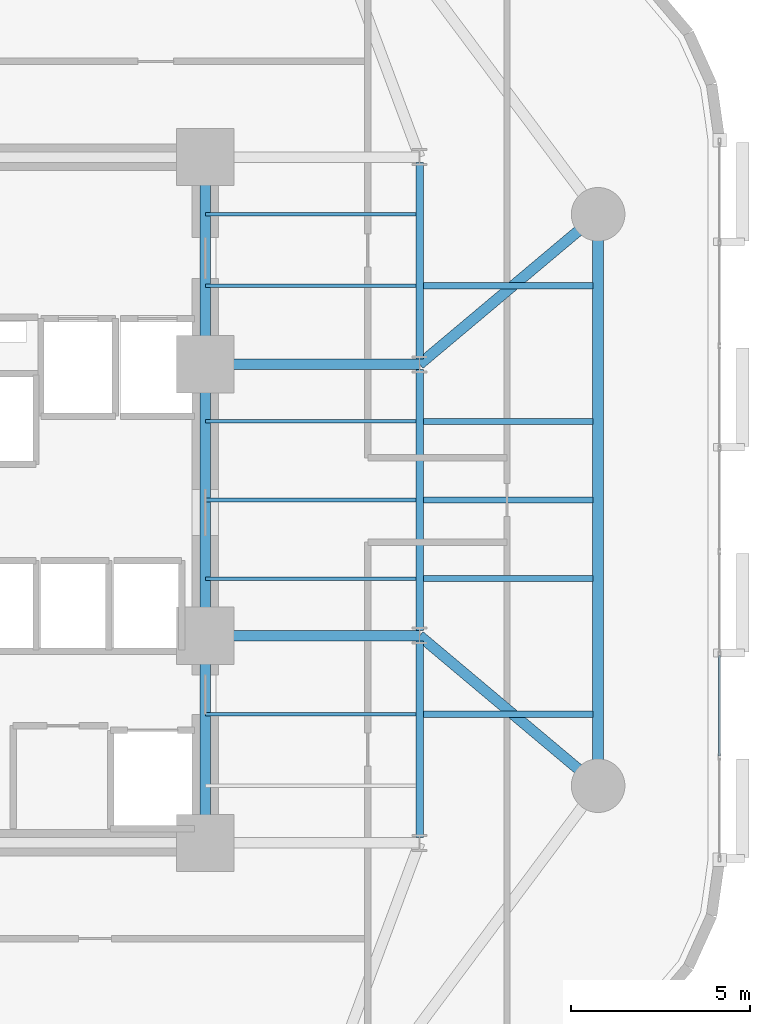
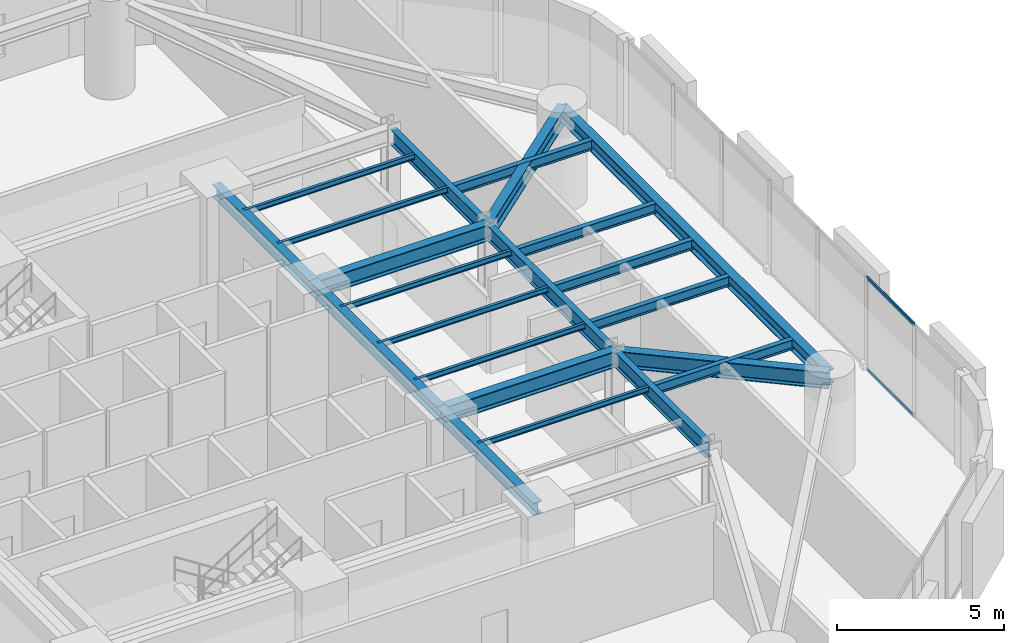
# One storey, part 5 of 15: 22 beams, 2 members, 1 element without a shape of its own.
"""IFC4 building model written with IfcOpenShell, lengths in metres."""

from ifc_helpers import new_model, si_unit, direction, frame, origin, origin_2d, place, context, subcontext, project, spatial, hollow_rectangle, i_section, extrude, material, layer, layer_set, material_profile, profile_set, type_object, element, aggregate, save


model = new_model("IFC4")

# Units and contexts
model_context = context("Model", 3, precision=1e-05, world=origin(), true_north=direction((0.0, 1.0)))
body_context = subcontext(model_context, "Body", "Model", "MODEL_VIEW")
ifc_project = project(units=[si_unit("LENGTHUNIT", "METRE"), si_unit("AREAUNIT", "SQUARE_METRE"), si_unit("VOLUMEUNIT", "CUBIC_METRE"), si_unit("PLANEANGLEUNIT", "RADIAN"), si_unit("MASSUNIT", "GRAM", prefix="KILO")], contexts=[model_context])

# Site, building, storey
site_placement = place(None, origin())
site = spatial("IfcSite", under=ifc_project, at=site_placement, CompositionType="ELEMENT")
building_placement = place(site_placement, origin())
building = spatial("IfcBuilding", under=site, at=building_placement, Name="An Khanh Terracotta Commons", CompositionType="ELEMENT")
storey_placement = place(building_placement, frame((0.0, 0.0, 64.800048828125)))
storey = spatial("IfcBuildingStorey", under=building, at=storey_placement, Name="L17", CompositionType="ELEMENT", Elevation=64.800048828125)

# Beams
ifc_material_1 = material(Name="Steel S355J2", Category="steel")
ifc_material_profile_1 = material_profile(ifc_material_1, i_section(OverallWidth=0.300048828125, OverallDepth=0.449951171875, WebThickness=0.013916015625, FlangeThickness=0.02587890625, FilletRadius=0.027099609375, at=origin_2d()), Name="HEB450")
ifc_profile_set_1 = profile_set([ifc_material_profile_1], Name="Steel S355J2")
beam_type_1 = type_object("IfcBeamType", Name="BM-HEB450", PredefinedType="BEAM", material=ifc_profile_set_1)
beam_1_placement = place(storey_placement, frame((37.199951171875, 14.39990234375, 3.175048828125), z_axis=(0.0, 1.0, 0.0), x_axis=(-1.0, 0.0, 0.0)))
element("IfcBeam", 1, at=beam_1_placement, inside=storey, type_object=beam_type_1, Name="L17 Core East Coupling Girder 1", PredefinedType="BEAM", context=body_context, shape_type="SweptSolid", body=[
    extrude(i_section(OverallWidth=0.300048828125, OverallDepth=0.449951171875, WebThickness=0.013916015625, FlangeThickness=0.02587890625, FilletRadius=0.027099609375, at=origin_2d()), origin(), (0.0, 0.0, 1.0), 5.800048828125),
])
beam_2_placement = place(storey_placement, frame((37.199951171875, 20.199951171875, 3.175048828125), z_axis=(0.0, 1.0, 0.0), x_axis=(-1.0, 0.0, 0.0)))
element("IfcBeam", 2, at=beam_2_placement, inside=storey, type_object=beam_type_1, Name="L17 Core East Coupling Girder 2", PredefinedType="BEAM", context=body_context, shape_type="SweptSolid", body=[
    extrude(i_section(OverallWidth=0.300048828125, OverallDepth=0.449951171875, WebThickness=0.013916015625, FlangeThickness=0.02587890625, FilletRadius=0.027099609375, at=origin_2d()), origin(), (0.0, 0.0, 1.0), 7.60009765625),
])
beam_3_placement = place(storey_placement, frame((37.199951171875, 27.800048828125, 3.175048828125), z_axis=(0.0, 1.0, 0.0), x_axis=(-1.0, 0.0, 0.0)))
element("IfcBeam", 3, at=beam_3_placement, inside=storey, type_object=beam_type_1, Name="L17 Core East Coupling Girder 3", PredefinedType="BEAM", context=body_context, shape_type="SweptSolid", body=[
    extrude(i_section(OverallWidth=0.300048828125, OverallDepth=0.449951171875, WebThickness=0.013916015625, FlangeThickness=0.02587890625, FilletRadius=0.027099609375, at=origin_2d()), origin(), (0.0, 0.0, 1.0), 5.800048828125),
])
ifc_material_profile_2 = material_profile(ifc_material_1, i_section(OverallWidth=0.300048828125, OverallDepth=0.5, WebThickness=0.014404296875, FlangeThickness=0.028076171875, FilletRadius=0.027099609375, at=origin_2d()), Name="HEB500")
ifc_profile_set_2 = profile_set([ifc_material_profile_2], Name="Steel S355J2")
beam_type_2 = type_object("IfcBeamType", Name="BM-HEB500", PredefinedType="BEAM", material=ifc_profile_set_2)
beam_4_placement = place(storey_placement, frame((48.199951171875, 16.0, 3.14990234375), z_axis=(0.0, 1.0, 0.0), x_axis=(-1.0, 0.0, 0.0)))
element("IfcBeam", 4, at=beam_4_placement, inside=storey, type_object=beam_type_2, Name="L17 Perimeter Ring Spandrel 3", PredefinedType="BEAM", context=body_context, shape_type="SweptSolid", body=[
    extrude(i_section(OverallWidth=0.300048828125, OverallDepth=0.5, WebThickness=0.014404296875, FlangeThickness=0.028076171875, FilletRadius=0.027099609375, at=origin_2d()), origin(), (0.0, 0.0, 1.0), 16.0),
])
ifc_material_profile_3 = material_profile(ifc_material_1, i_section(OverallWidth=0.300048828125, OverallDepth=0.60009765625, WebThickness=0.015380859375, FlangeThickness=0.030029296875, FilletRadius=0.027099609375, at=origin_2d()), Name="HEB600")
ifc_profile_set_3 = profile_set([ifc_material_profile_3], Name="Steel S355J2")
beam_type_3 = type_object("IfcBeamType", Name="BM-HEB600", PredefinedType="BEAM", material=ifc_profile_set_3)
for number, where, z_axis, x_axis, name in (
    (5, (37.199951171875, 20.199951171875, 3.099853515625), (1.0, 0.0, 0.0), (0.0, 1.0, 0.0), "L17 East Primary Floor Girder 2"),
    (6, (37.199951171875, 27.800048828125, 3.099853515625), (1.0, 0.0, 0.0), (0.0, 1.0, 0.0), "L17 East Primary Floor Girder 3"),
):
    element("IfcBeam", number, at=place(storey_placement, frame(where, z_axis=z_axis, x_axis=x_axis)), inside=storey, type_object=beam_type_3, Name=name, PredefinedType="BEAM", context=body_context, shape_type="SweptSolid", body=[
        extrude(i_section(OverallWidth=0.300048828125, OverallDepth=0.60009765625, WebThickness=0.015380859375, FlangeThickness=0.030029296875, FilletRadius=0.027099609375, at=origin_2d()), origin(), (0.0, 0.0, 1.0), 6.0),
    ])
for number, where, z_axis, x_axis, name in (
    (7, (48.199951171875, 16.0, 3.099853515625), (-0.765708547471, 0.643187702253, 0.0), (-0.643187702253, -0.765708547471, 0.0), "L17 Mega-Column Tie Girder 3"),
    (8, (48.199951171875, 32.0, 3.099853515625), (-0.765708547471, -0.643187702253, 0.0), (0.643187702253, -0.765708547471, 0.0), "L17 Mega-Column Tie Girder 4"),
):
    element("IfcBeam", number, at=place(storey_placement, frame(where, z_axis=z_axis, x_axis=x_axis)), inside=storey, type_object=beam_type_3, Name=name, PredefinedType="BEAM", context=body_context, shape_type="SweptSolid", body=[
        extrude(i_section(OverallWidth=0.300048828125, OverallDepth=0.60009765625, WebThickness=0.015380859375, FlangeThickness=0.030029296875, FilletRadius=0.027099609375, at=origin_2d()), origin(), (0.0, 0.0, 1.0), 6.52978515625),
    ])
ifc_material_profile_4 = material_profile(ifc_material_1, i_section(OverallWidth=0.10009765625, OverallDepth=0.199951171875, WebThickness=0.005615234375, FlangeThickness=0.008544921875, FilletRadius=0.011962890625, at=origin_2d()), Name="IPE200")
ifc_profile_set_4 = profile_set([ifc_material_profile_4], Name="Steel S355J2")
beam_type_4 = type_object("IfcBeamType", Name="BM-IPE200", PredefinedType="JOIST", material=ifc_profile_set_4)
for number, where, z_axis, x_axis, name in (
    (9, (37.199951171875, 18.0, 3.300048828125), (1.0, 0.0, 0.0), (0.0, 1.0, 0.0), "L17 Inboard Composite Joist 2"),
    (10, (37.199951171875, 21.800048828125, 3.300048828125), (1.0, 0.0, 0.0), (0.0, 1.0, 0.0), "L17 Inboard Composite Joist 3"),
    (11, (37.199951171875, 24.0, 3.300048828125), (1.0, 0.0, 0.0), (0.0, 1.0, 0.0), "L17 Inboard Composite Joist 4"),
    (12, (37.199951171875, 26.199951171875, 3.300048828125), (1.0, 0.0, 0.0), (0.0, 1.0, 0.0), "L17 Inboard Composite Joist 5"),
    (13, (37.199951171875, 30.0, 3.300048828125), (1.0, 0.0, 0.0), (0.0, 1.0, 0.0), "L17 Inboard Composite Joist 6"),
    (14, (37.199951171875, 32.0, 3.300048828125), (1.0, 0.0, 0.0), (0.0, 1.0, 0.0), "L17 Inboard Composite Joist 7"),
):
    element("IfcBeam", number, at=place(storey_placement, frame(where, z_axis=z_axis, x_axis=x_axis)), inside=storey, type_object=beam_type_4, Name=name, PredefinedType="JOIST", context=body_context, shape_type="SweptSolid", body=[
        extrude(i_section(OverallWidth=0.10009765625, OverallDepth=0.199951171875, WebThickness=0.005615234375, FlangeThickness=0.008544921875, FilletRadius=0.011962890625, at=origin_2d()), origin(), (0.0, 0.0, 1.0), 5.89501953125),
    ])
ifc_material_profile_5 = material_profile(ifc_material_1, i_section(OverallWidth=0.169921875, OverallDepth=0.360107421875, WebThickness=0.008056640625, FlangeThickness=0.0126953125, FilletRadius=0.01806640625, at=origin_2d()), Name="IPE360")
ifc_profile_set_5 = profile_set([ifc_material_profile_5], Name="Steel S355J2")
beam_type_5 = type_object("IfcBeamType", Name="BM-IPE360", PredefinedType="JOIST", material=ifc_profile_set_5)
for number, where, z_axis, x_axis, name in (
    (15, (43.304931640625, 18.0, 3.219970703125), (1.0, 0.0, 0.0), (0.0, 1.0, 0.0), "L17 Riverfront Composite Joist 2"),
    (16, (43.304931640625, 21.800048828125, 3.219970703125), (1.0, 0.0, 0.0), (0.0, 1.0, 0.0), "L17 Riverfront Composite Joist 3"),
    (17, (43.304931640625, 24.0, 3.219970703125), (1.0, 0.0, 0.0), (0.0, 1.0, 0.0), "L17 Riverfront Composite Joist 4"),
    (18, (43.304931640625, 26.199951171875, 3.219970703125), (1.0, 0.0, 0.0), (0.0, 1.0, 0.0), "L17 Riverfront Composite Joist 5"),
    (19, (43.304931640625, 30.0, 3.219970703125), (1.0, 0.0, 0.0), (0.0, 1.0, 0.0), "L17 Riverfront Composite Joist 6"),
):
    element("IfcBeam", number, at=place(storey_placement, frame(where, z_axis=z_axis, x_axis=x_axis)), inside=storey, type_object=beam_type_5, Name=name, PredefinedType="JOIST", context=body_context, shape_type="SweptSolid", body=[
        extrude(i_section(OverallWidth=0.169921875, OverallDepth=0.360107421875, WebThickness=0.008056640625, FlangeThickness=0.0126953125, FilletRadius=0.01806640625, at=origin_2d()), origin(), (0.0, 0.0, 1.0), 4.7451171875),
    ])
ifc_material_profile_6 = material_profile(ifc_material_1, i_section(OverallWidth=0.2099609375, OverallDepth=0.550048828125, WebThickness=0.010986328125, FlangeThickness=0.01708984375, FilletRadius=0.02392578125, at=origin_2d()), Name="IPE550")
ifc_profile_set_6 = profile_set([ifc_material_profile_6], Name="Steel S355J2")
beam_type_6 = type_object("IfcBeamType", Name="BM-IPE550", PredefinedType="BEAM", material=ifc_profile_set_6)
beam_5_placement = place(storey_placement, frame((43.199951171875, 14.550048828125, 3.125), z_axis=(0.0, 1.0, 0.0), x_axis=(-1.0, 0.0, 0.0)))
element("IfcBeam", 20, at=beam_5_placement, inside=storey, type_object=beam_type_6, Name="L17 East Spine Girder 1", PredefinedType="BEAM", context=body_context, shape_type="SweptSolid", body=[
    extrude(i_section(OverallWidth=0.2099609375, OverallDepth=0.550048828125, WebThickness=0.010986328125, FlangeThickness=0.01708984375, FilletRadius=0.02392578125, at=origin_2d()), origin(), (0.0, 0.0, 1.0), 5.5),
])
beam_6_placement = place(storey_placement, frame((43.199951171875, 20.35009765625, 3.125), z_axis=(0.0, 1.0, 0.0), x_axis=(-1.0, 0.0, 0.0)))
element("IfcBeam", 21, at=beam_6_placement, inside=storey, type_object=beam_type_6, Name="L17 East Spine Girder 2", PredefinedType="BEAM", context=body_context, shape_type="SweptSolid", body=[
    extrude(i_section(OverallWidth=0.2099609375, OverallDepth=0.550048828125, WebThickness=0.010986328125, FlangeThickness=0.01708984375, FilletRadius=0.02392578125, at=origin_2d()), origin(), (0.0, 0.0, 1.0), 7.2998046875),
])
beam_7_placement = place(storey_placement, frame((43.199951171875, 27.949951171875, 3.125), z_axis=(0.0, 1.0, 0.0), x_axis=(-1.0, 0.0, 0.0)))
element("IfcBeam", 22, at=beam_7_placement, inside=storey, type_object=beam_type_6, Name="L17 East Spine Girder 3", PredefinedType="BEAM", context=body_context, shape_type="SweptSolid", body=[
    extrude(i_section(OverallWidth=0.2099609375, OverallDepth=0.550048828125, WebThickness=0.010986328125, FlangeThickness=0.01708984375, FilletRadius=0.02392578125, at=origin_2d()), origin(), (0.0, 0.0, 1.0), 5.5),
])

# Curtain wall, members
ifc_material_2 = material(Name="Anodised Aluminium 6063-T6", Category="aluminium")
ifc_layer = layer(ifc_material_2, 0.199951171875, Name="Anodised Aluminium 6063-T6")
ifc_layer_set = layer_set([ifc_layer], Name="Anodised Aluminium 6063-T6")
curtain_wall_type = type_object("IfcCurtainWallType", Name="CW-SYS-02", PredefinedType="USERDEFINED", material=ifc_layer_set)
curtain_wall_placement = place(storey_placement, origin())
curtain_wall = element("IfcCurtainWall", 23, at=curtain_wall_placement, inside=storey, type_object=curtain_wall_type, Name="L17 CW-02 Unitised Curtain Wall CW-L17-12", ObjectType="UNITISED CURTAIN WALL", PredefinedType="USERDEFINED")
ifc_material_profile_7 = material_profile(ifc_material_2, hollow_rectangle(XDim=0.06005859375, YDim=0.1201171875, WallThickness=0.003662109375, InnerFilletRadius=0.003662109375, OuterFilletRadius=0.007080078125, at=origin_2d()), Name="RHS120x60x3.6")
ifc_profile_set_7 = profile_set([ifc_material_profile_7], Name="Anodised Aluminium 6063-T6")
member_type = type_object("IfcMemberType", Name="CWT-RHS120x60x3.6", PredefinedType="USERDEFINED", material=ifc_profile_set_7)
member_1_placement = place(storey_placement, frame((51.60009765625, 16.837158203125, 0.030029296875), z_axis=(0.0, 1.0, 0.0), x_axis=(-1.0, 0.0, 0.0)))
member_1 = element("IfcMember", 24, at=member_1_placement, type_object=member_type, Name="CW-02 transom 2.1", ObjectType="TRANSOM", PredefinedType="USERDEFINED", context=body_context, shape_type="SweptSolid", body=[
    extrude(hollow_rectangle(XDim=0.06005859375, YDim=0.1201171875, WallThickness=0.003662109375, InnerFilletRadius=0.003662109375, OuterFilletRadius=0.007080078125, at=origin_2d()), origin(), (0.0, 0.0, 1.0), 2.80908203125),
])
member_2_placement = place(storey_placement, frame((51.60009765625, 16.837158203125, 3.369873046875), z_axis=(0.0, 1.0, 0.0), x_axis=(-1.0, 0.0, 0.0)))
member_2 = element("IfcMember", 25, at=member_2_placement, type_object=member_type, Name="CW-02 transom 2.2", ObjectType="TRANSOM", PredefinedType="USERDEFINED", context=body_context, shape_type="SweptSolid", body=[
    extrude(hollow_rectangle(XDim=0.06005859375, YDim=0.1201171875, WallThickness=0.003662109375, InnerFilletRadius=0.003662109375, OuterFilletRadius=0.007080078125, at=origin_2d()), origin(), (0.0, 0.0, 1.0), 2.80908203125),
])
aggregate(curtain_wall, [member_1, member_2])

save(model, "model.ifc")
